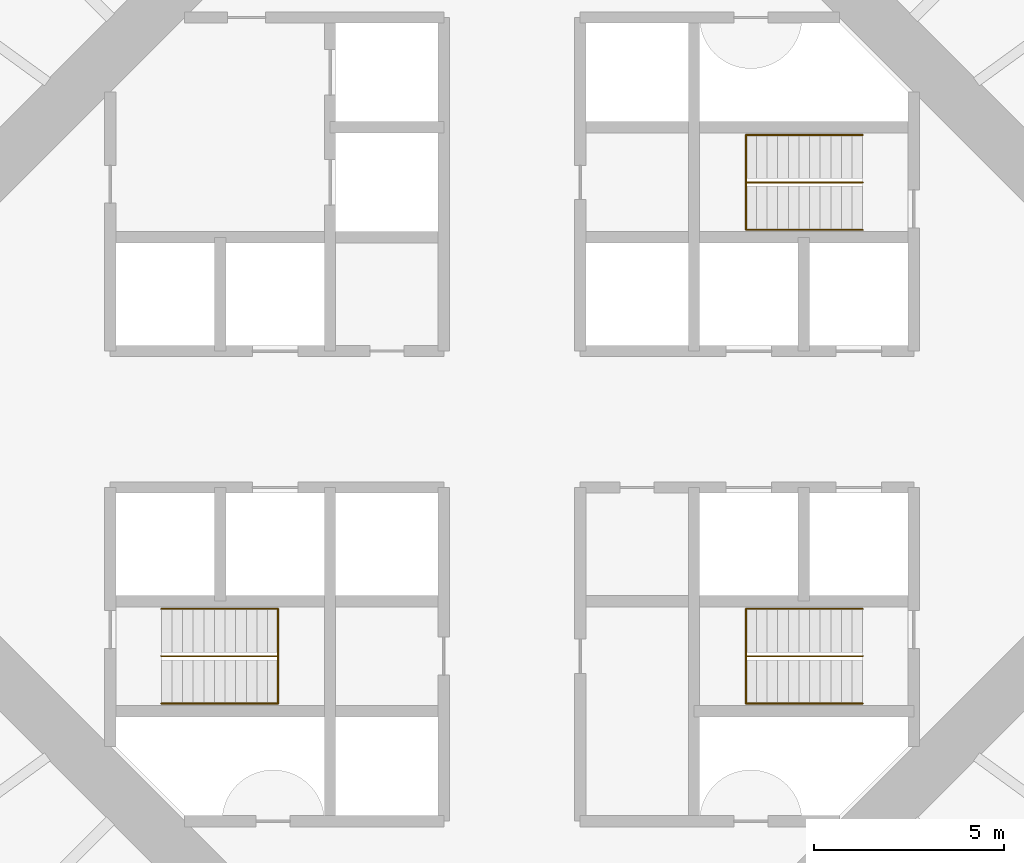
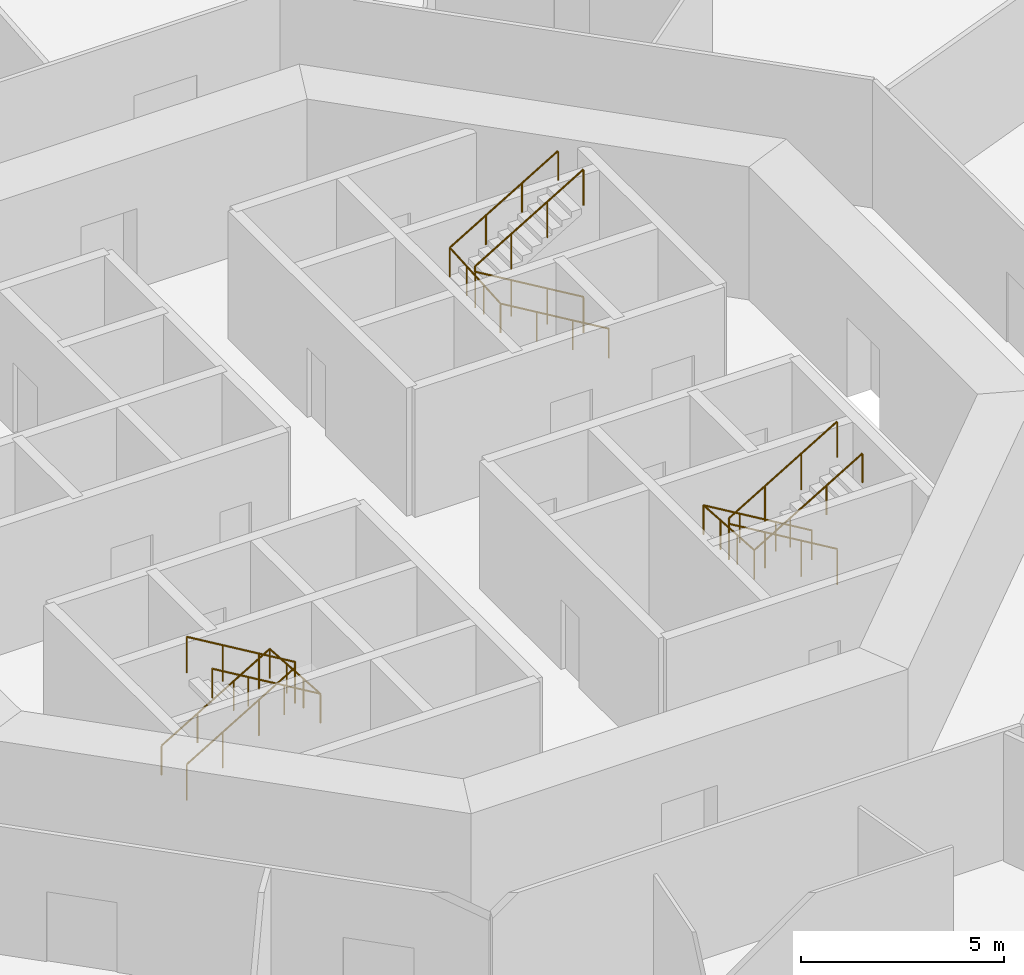
# One storey, part 13 of 13: 6 railings.
"""IFC4 building model written with IfcOpenShell, lengths in metres."""

from ifc_helpers import new_model, si_unit, direction, frame, origin, origin_2d, place, context, subcontext, project, spatial, circle, extrude, material, type_object, element, save


model = new_model("IFC4")

# Units and contexts
model_context = context("Model", 3, precision=1e-05, world=origin(), true_north=direction((0.0, 1.0)))
body_context = subcontext(model_context, "Body", "Model", "MODEL_VIEW")
ifc_project = project(units=[si_unit("LENGTHUNIT", "METRE"), si_unit("AREAUNIT", "SQUARE_METRE"), si_unit("VOLUMEUNIT", "CUBIC_METRE"), si_unit("PLANEANGLEUNIT", "RADIAN"), si_unit("MASSUNIT", "GRAM", prefix="KILO")], contexts=[model_context])

# Site, building, storey
site_placement = place(None, origin())
site = spatial("IfcSite", under=ifc_project, at=site_placement, CompositionType="ELEMENT")
building_placement = place(site_placement, origin())
building = spatial("IfcBuilding", under=site, at=building_placement, Name="Entoto Ring Tower", CompositionType="ELEMENT")
storey_placement = place(building_placement, frame((0.0, 0.0, 54.0)))
storey = spatial("IfcBuildingStorey", under=building, at=storey_placement, Name="L11", CompositionType="ELEMENT", Elevation=54.0)

# Railings
ifc_material_1 = material(Name="Steel S275", Category="steel")
railing_type_1 = type_object("IfcRailingType", Name="Stair guard 1100 mm steel", PredefinedType="GUARDRAIL", material=ifc_material_1)
railing_1_placement = place(storey_placement, frame((99.25, 86.25, 0.166748046875)))
element("IfcRailing", 1, at=railing_1_placement, inside=storey, type_object=railing_type_1, Name="Guard ST1", PredefinedType="GUARDRAIL", context=body_context, shape_type="SweptSolid", body=[
    extrude(circle(Radius=0.02392578125, at=origin_2d()), frame((0.0, 0.0, 1.076171875), z_axis=(-0.859308565015, 0.0, 0.511457515432), x_axis=(0.0, -1.0, 0.0)), (0.0, 0.0, 1.0), 3.58447265625),
    extrude(circle(Radius=0.02392578125, at=origin_2d()), frame((-3.080078125, 0.0, 2.9091796875), z_axis=(0.0, 0.0, 1.0), x_axis=(1.0, 0.0, 0.0)), (0.0, 0.0, 1.0), 0.166748046875),
    extrude(circle(Radius=0.02392578125, at=origin_2d()), frame((-3.080078125, 0.0, 3.076171875), z_axis=(0.859308565015, 0.0, 0.511457515432), x_axis=(0.0, 1.0, 0.0)), (0.0, 0.0, 1.0), 3.58447265625),
    extrude(circle(Radius=0.02099609375, at=origin_2d()), origin(), (0.0, 0.0, 1.0), 1.052001953125),
    extrude(circle(Radius=0.02099609375, at=origin_2d()), frame((-1.026611328125, 0.0, 0.611083984375)), (0.0, 0.0, 1.0), 1.052001953125),
    extrude(circle(Radius=0.02099609375, at=origin_2d()), frame((-2.053466796875, 0.0, 1.22216796875)), (0.0, 0.0, 1.0), 1.052001953125),
    extrude(circle(Radius=0.02099609375, at=origin_2d()), frame((-3.080078125, 0.0, 1.833251953125)), (0.0, 0.0, 1.0), 1.052001953125),
    extrude(circle(Radius=0.02099609375, at=origin_2d()), frame((-3.080078125, 0.0, 2.0)), (0.0, 0.0, 1.0), 1.052001953125),
    extrude(circle(Radius=0.02099609375, at=origin_2d()), frame((-2.053466796875, 0.0, 2.611083984375)), (0.0, 0.0, 1.0), 1.052001953125),
    extrude(circle(Radius=0.02099609375, at=origin_2d()), frame((-1.026611328125, 0.0, 3.22216796875)), (0.0, 0.0, 1.0), 1.052001953125),
    extrude(circle(Radius=0.02099609375, at=origin_2d()), frame((0.0, 0.0, 3.833251953125)), (0.0, 0.0, 1.0), 1.052001953125),
])
railing_2_placement = place(storey_placement, frame((80.75, 73.75, 0.166748046875)))
element("IfcRailing", 2, at=railing_2_placement, inside=storey, type_object=railing_type_1, Name="Guard ST2", PredefinedType="GUARDRAIL", context=body_context, shape_type="SweptSolid", body=[
    extrude(circle(Radius=0.02392578125, at=origin_2d()), frame((0.0, 0.0, 1.076171875), z_axis=(0.859308565015, 0.0, 0.511457515432), x_axis=(0.0, 1.0, 0.0)), (0.0, 0.0, 1.0), 3.58447265625),
    extrude(circle(Radius=0.02392578125, at=origin_2d()), frame((3.080078125, 0.0, 2.9091796875), z_axis=(0.0, 0.0, 1.0), x_axis=(1.0, 0.0, 0.0)), (0.0, 0.0, 1.0), 0.166748046875),
    extrude(circle(Radius=0.02392578125, at=origin_2d()), frame((3.080078125, 0.0, 3.076171875), z_axis=(-0.859308565015, 0.0, 0.511457515432), x_axis=(0.0, -1.0, 0.0)), (0.0, 0.0, 1.0), 3.58447265625),
    extrude(circle(Radius=0.02099609375, at=origin_2d()), origin(), (0.0, 0.0, 1.0), 1.052001953125),
    extrude(circle(Radius=0.02099609375, at=origin_2d()), frame((1.026611328125, 0.0, 0.611083984375)), (0.0, 0.0, 1.0), 1.052001953125),
    extrude(circle(Radius=0.02099609375, at=origin_2d()), frame((2.053466796875, 0.0, 1.22216796875)), (0.0, 0.0, 1.0), 1.052001953125),
    extrude(circle(Radius=0.02099609375, at=origin_2d()), frame((3.080078125, 0.0, 1.833251953125)), (0.0, 0.0, 1.0), 1.052001953125),
    extrude(circle(Radius=0.02099609375, at=origin_2d()), frame((3.080078125, 0.0, 2.0)), (0.0, 0.0, 1.0), 1.052001953125),
    extrude(circle(Radius=0.02099609375, at=origin_2d()), frame((2.053466796875, 0.0, 2.611083984375)), (0.0, 0.0, 1.0), 1.052001953125),
    extrude(circle(Radius=0.02099609375, at=origin_2d()), frame((1.026611328125, 0.0, 3.22216796875)), (0.0, 0.0, 1.0), 1.052001953125),
    extrude(circle(Radius=0.02099609375, at=origin_2d()), frame((0.0, 0.0, 3.833251953125)), (0.0, 0.0, 1.0), 1.052001953125),
])
railing_3_placement = place(storey_placement, frame((99.25, 73.75, 0.166748046875)))
element("IfcRailing", 3, at=railing_3_placement, inside=storey, type_object=railing_type_1, Name="Guard ST3", PredefinedType="GUARDRAIL", context=body_context, shape_type="SweptSolid", body=[
    extrude(circle(Radius=0.02392578125, at=origin_2d()), frame((0.0, 0.0, 1.076171875), z_axis=(-0.859308565015, 0.0, 0.511457515432), x_axis=(0.0, -1.0, 0.0)), (0.0, 0.0, 1.0), 3.58447265625),
    extrude(circle(Radius=0.02392578125, at=origin_2d()), frame((-3.080078125, 0.0, 2.9091796875), z_axis=(0.0, 0.0, 1.0), x_axis=(1.0, 0.0, 0.0)), (0.0, 0.0, 1.0), 0.166748046875),
    extrude(circle(Radius=0.02392578125, at=origin_2d()), frame((-3.080078125, 0.0, 3.076171875), z_axis=(0.859308565015, 0.0, 0.511457515432), x_axis=(0.0, 1.0, 0.0)), (0.0, 0.0, 1.0), 3.58447265625),
    extrude(circle(Radius=0.02099609375, at=origin_2d()), origin(), (0.0, 0.0, 1.0), 1.052001953125),
    extrude(circle(Radius=0.02099609375, at=origin_2d()), frame((-1.026611328125, 0.0, 0.611083984375)), (0.0, 0.0, 1.0), 1.052001953125),
    extrude(circle(Radius=0.02099609375, at=origin_2d()), frame((-2.053466796875, 0.0, 1.22216796875)), (0.0, 0.0, 1.0), 1.052001953125),
    extrude(circle(Radius=0.02099609375, at=origin_2d()), frame((-3.080078125, 0.0, 1.833251953125)), (0.0, 0.0, 1.0), 1.052001953125),
    extrude(circle(Radius=0.02099609375, at=origin_2d()), frame((-3.080078125, 0.0, 2.0)), (0.0, 0.0, 1.0), 1.052001953125),
    extrude(circle(Radius=0.02099609375, at=origin_2d()), frame((-2.053466796875, 0.0, 2.611083984375)), (0.0, 0.0, 1.0), 1.052001953125),
    extrude(circle(Radius=0.02099609375, at=origin_2d()), frame((-1.026611328125, 0.0, 3.22216796875)), (0.0, 0.0, 1.0), 1.052001953125),
    extrude(circle(Radius=0.02099609375, at=origin_2d()), frame((0.0, 0.0, 3.833251953125)), (0.0, 0.0, 1.0), 1.052001953125),
])
ifc_material_2 = material(Name="Steel S275", Category="steel")
railing_type_2 = type_object("IfcRailingType", Name="Stair handrail 900 mm steel", PredefinedType="HANDRAIL", material=ifc_material_2)
railing_4_placement = place(storey_placement, frame((99.25, 85.0, 0.166748046875)))
element("IfcRailing", 4, at=railing_4_placement, inside=storey, type_object=railing_type_2, Name="Handrail ST1", PredefinedType="HANDRAIL", context=body_context, shape_type="SweptSolid", body=[
    extrude(circle(Radius=0.02392578125, at=origin_2d()), frame((0.0, 0.0, 0.8759765625), z_axis=(-0.859308565015, 0.0, 0.511457515432), x_axis=(0.0, -1.0, 0.0)), (0.0, 0.0, 1.0), 3.58447265625),
    extrude(circle(Radius=0.02392578125, at=origin_2d()), frame((-3.080078125, 0.0, 2.708984375), z_axis=(0.0, 0.997783001586, 0.066551346688), x_axis=(-1.0, 0.0, 0.0)), (0.0, 0.0, 1.0), 2.505615234375),
    extrude(circle(Radius=0.02392578125, at=origin_2d()), frame((-3.080078125, 2.5, 2.8759765625), z_axis=(0.859308565015, 0.0, 0.511457515432), x_axis=(0.0, 1.0, 0.0)), (0.0, 0.0, 1.0), 3.58447265625),
    extrude(circle(Radius=0.02099609375, at=origin_2d()), origin(), (0.0, 0.0, 1.0), 0.851806640625),
    extrude(circle(Radius=0.02099609375, at=origin_2d()), frame((-1.026611328125, 0.0, 0.611083984375)), (0.0, 0.0, 1.0), 0.851806640625),
    extrude(circle(Radius=0.02099609375, at=origin_2d()), frame((-2.053466796875, 0.0, 1.22216796875)), (0.0, 0.0, 1.0), 0.851806640625),
    extrude(circle(Radius=0.02099609375, at=origin_2d()), frame((-3.080078125, 0.0, 1.833251953125)), (0.0, 0.0, 1.0), 0.851806640625),
    extrude(circle(Radius=0.02099609375, at=origin_2d()), frame((-3.080078125, 0.833251953125, 1.888916015625)), (0.0, 0.0, 1.0), 0.851806640625),
    extrude(circle(Radius=0.02099609375, at=origin_2d()), frame((-3.080078125, 1.666748046875, 1.9443359375)), (0.0, 0.0, 1.0), 0.851806640625),
    extrude(circle(Radius=0.02099609375, at=origin_2d()), frame((-3.080078125, 2.5, 2.0)), (0.0, 0.0, 1.0), 0.851806640625),
    extrude(circle(Radius=0.02099609375, at=origin_2d()), frame((-2.053466796875, 2.5, 2.611083984375)), (0.0, 0.0, 1.0), 0.851806640625),
    extrude(circle(Radius=0.02099609375, at=origin_2d()), frame((-1.026611328125, 2.5, 3.22216796875)), (0.0, 0.0, 1.0), 0.851806640625),
    extrude(circle(Radius=0.02099609375, at=origin_2d()), frame((0.0, 2.5, 3.833251953125)), (0.0, 0.0, 1.0), 0.851806640625),
])
railing_5_placement = place(storey_placement, frame((80.75, 75.0, 0.166748046875)))
element("IfcRailing", 5, at=railing_5_placement, inside=storey, type_object=railing_type_2, Name="Handrail ST2", PredefinedType="HANDRAIL", context=body_context, shape_type="SweptSolid", body=[
    extrude(circle(Radius=0.02392578125, at=origin_2d()), frame((0.0, 0.0, 0.8759765625), z_axis=(0.859308565015, 0.0, 0.511457515432), x_axis=(0.0, 1.0, 0.0)), (0.0, 0.0, 1.0), 3.58447265625),
    extrude(circle(Radius=0.02392578125, at=origin_2d()), frame((3.080078125, 0.0, 2.708984375), z_axis=(0.0, -0.997783001586, 0.066551346688), x_axis=(1.0, 0.0, 0.0)), (0.0, 0.0, 1.0), 2.505615234375),
    extrude(circle(Radius=0.02392578125, at=origin_2d()), frame((3.080078125, -2.5, 2.8759765625), z_axis=(-0.859308565015, 0.0, 0.511457515432), x_axis=(0.0, -1.0, 0.0)), (0.0, 0.0, 1.0), 3.58447265625),
    extrude(circle(Radius=0.02099609375, at=origin_2d()), origin(), (0.0, 0.0, 1.0), 0.851806640625),
    extrude(circle(Radius=0.02099609375, at=origin_2d()), frame((1.026611328125, 0.0, 0.611083984375)), (0.0, 0.0, 1.0), 0.851806640625),
    extrude(circle(Radius=0.02099609375, at=origin_2d()), frame((2.053466796875, 0.0, 1.22216796875)), (0.0, 0.0, 1.0), 0.851806640625),
    extrude(circle(Radius=0.02099609375, at=origin_2d()), frame((3.080078125, 0.0, 1.833251953125)), (0.0, 0.0, 1.0), 0.851806640625),
    extrude(circle(Radius=0.02099609375, at=origin_2d()), frame((3.080078125, -0.833251953125, 1.888916015625)), (0.0, 0.0, 1.0), 0.851806640625),
    extrude(circle(Radius=0.02099609375, at=origin_2d()), frame((3.080078125, -1.666748046875, 1.9443359375)), (0.0, 0.0, 1.0), 0.851806640625),
    extrude(circle(Radius=0.02099609375, at=origin_2d()), frame((3.080078125, -2.5, 2.0)), (0.0, 0.0, 1.0), 0.851806640625),
    extrude(circle(Radius=0.02099609375, at=origin_2d()), frame((2.053466796875, -2.5, 2.611083984375)), (0.0, 0.0, 1.0), 0.851806640625),
    extrude(circle(Radius=0.02099609375, at=origin_2d()), frame((1.026611328125, -2.5, 3.22216796875)), (0.0, 0.0, 1.0), 0.851806640625),
    extrude(circle(Radius=0.02099609375, at=origin_2d()), frame((0.0, -2.5, 3.833251953125)), (0.0, 0.0, 1.0), 0.851806640625),
])
railing_6_placement = place(storey_placement, frame((99.25, 75.0, 0.166748046875)))
element("IfcRailing", 6, at=railing_6_placement, inside=storey, type_object=railing_type_2, Name="Handrail ST3", PredefinedType="HANDRAIL", context=body_context, shape_type="SweptSolid", body=[
    extrude(circle(Radius=0.02392578125, at=origin_2d()), frame((0.0, 0.0, 0.8759765625), z_axis=(-0.859308565015, 0.0, 0.511457515432), x_axis=(0.0, -1.0, 0.0)), (0.0, 0.0, 1.0), 3.58447265625),
    extrude(circle(Radius=0.02392578125, at=origin_2d()), frame((-3.080078125, 0.0, 2.708984375), z_axis=(0.0, -0.997783001586, 0.066551346688), x_axis=(1.0, 0.0, 0.0)), (0.0, 0.0, 1.0), 2.505615234375),
    extrude(circle(Radius=0.02392578125, at=origin_2d()), frame((-3.080078125, -2.5, 2.8759765625), z_axis=(0.859308565015, 0.0, 0.511457515432), x_axis=(0.0, 1.0, 0.0)), (0.0, 0.0, 1.0), 3.58447265625),
    extrude(circle(Radius=0.02099609375, at=origin_2d()), origin(), (0.0, 0.0, 1.0), 0.851806640625),
    extrude(circle(Radius=0.02099609375, at=origin_2d()), frame((-1.026611328125, 0.0, 0.611083984375)), (0.0, 0.0, 1.0), 0.851806640625),
    extrude(circle(Radius=0.02099609375, at=origin_2d()), frame((-2.053466796875, 0.0, 1.22216796875)), (0.0, 0.0, 1.0), 0.851806640625),
    extrude(circle(Radius=0.02099609375, at=origin_2d()), frame((-3.080078125, 0.0, 1.833251953125)), (0.0, 0.0, 1.0), 0.851806640625),
    extrude(circle(Radius=0.02099609375, at=origin_2d()), frame((-3.080078125, -0.833251953125, 1.888916015625)), (0.0, 0.0, 1.0), 0.851806640625),
    extrude(circle(Radius=0.02099609375, at=origin_2d()), frame((-3.080078125, -1.666748046875, 1.9443359375)), (0.0, 0.0, 1.0), 0.851806640625),
    extrude(circle(Radius=0.02099609375, at=origin_2d()), frame((-3.080078125, -2.5, 2.0)), (0.0, 0.0, 1.0), 0.851806640625),
    extrude(circle(Radius=0.02099609375, at=origin_2d()), frame((-2.053466796875, -2.5, 2.611083984375)), (0.0, 0.0, 1.0), 0.851806640625),
    extrude(circle(Radius=0.02099609375, at=origin_2d()), frame((-1.026611328125, -2.5, 3.22216796875)), (0.0, 0.0, 1.0), 0.851806640625),
    extrude(circle(Radius=0.02099609375, at=origin_2d()), frame((0.0, -2.5, 3.833251953125)), (0.0, 0.0, 1.0), 0.851806640625),
])

save(model, "model.ifc")
